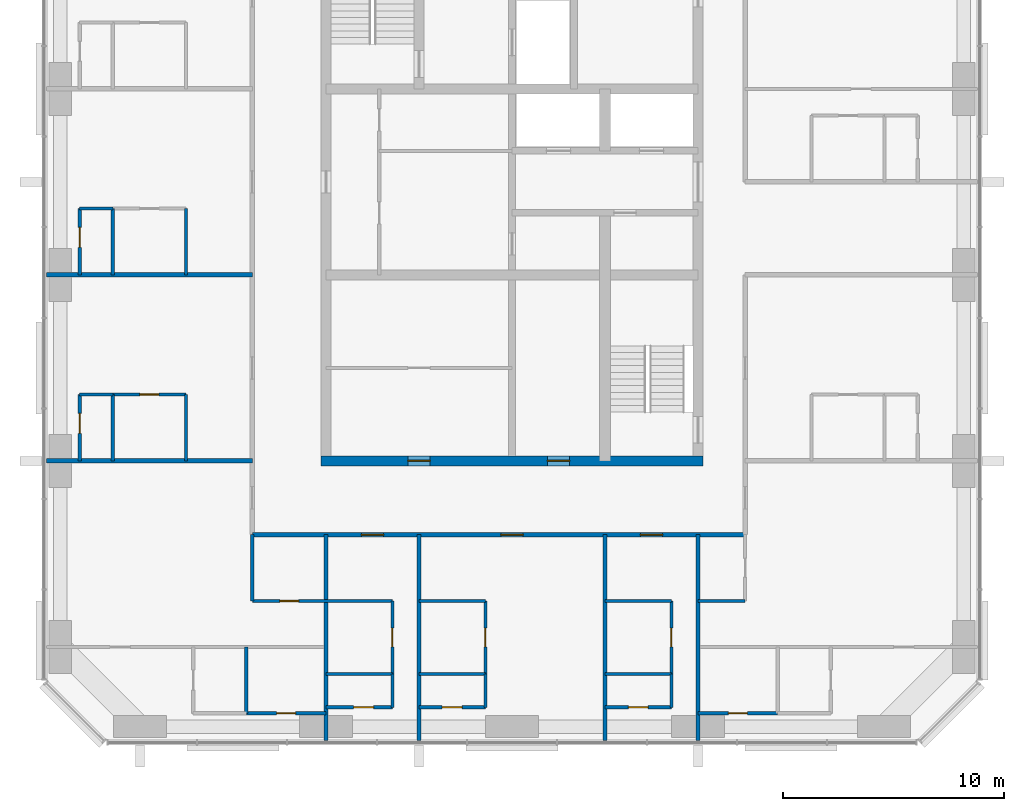
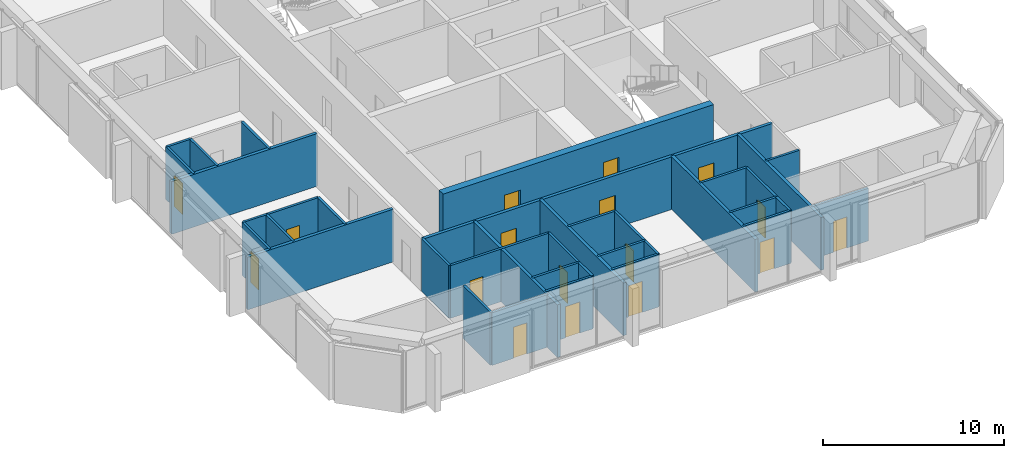
# One storey, part 7 of 12: 37 walls, 17 doors, 17 openings.
"""IFC4 building model written with IfcOpenShell, lengths in metres."""

from ifc_helpers import new_model, si_unit, direction, frame, frame_2d, origin, place, context, subcontext, project, spatial, rectangle, extrude, material, layer, layer_set, type_object, element, fill, save


model = new_model("IFC4")

# Units and contexts
model_context = context("Model", 3, precision=1e-05, world=origin(), true_north=direction((0.0, 1.0)))
body_context = subcontext(model_context, "Body", "Model", "MODEL_VIEW")
ifc_project = project(units=[si_unit("LENGTHUNIT", "METRE"), si_unit("AREAUNIT", "SQUARE_METRE"), si_unit("VOLUMEUNIT", "CUBIC_METRE"), si_unit("PLANEANGLEUNIT", "RADIAN"), si_unit("MASSUNIT", "GRAM", prefix="KILO")], contexts=[model_context])

# Site, building, storey
site_placement = place(None, origin())
site = spatial("IfcSite", under=ifc_project, at=site_placement, CompositionType="ELEMENT")
building_placement = place(site_placement, origin())
building = spatial("IfcBuilding", under=site, at=building_placement, Name="Dunama Terrace Hotel", CompositionType="ELEMENT")
storey_placement = place(building_placement, frame((0.0, 0.0, 241.199951171875)))
storey = spatial("IfcBuildingStorey", under=building, at=storey_placement, Name="L62", CompositionType="ELEMENT", Elevation=241.199951171875)

# Walls
ifc_material_1 = material(Name="Gypsum board partition", Category="masonry")
ifc_layer_1 = layer(ifc_material_1, 0.14990234375)
ifc_layer_set_1 = layer_set([ifc_layer_1], Name="Bathroom partition 150")
wall_type_1 = type_object("IfcWallType", Name="Bathroom partition 150", PredefinedType="PARTITIONING", material=ifc_layer_set_1)
for number, where, z_axis, x_axis, name in (
    (1, (18.875, 16.800048828125, 0.0), (0.0, 0.0, 1.0), (0.0, 1.0, 0.0), "Bathroom partition 150 L62"),
    (2, (18.875, 25.199951171875, 0.0), (0.0, 0.0, 1.0), (0.0, 1.0, 0.0), "Bathroom partition 150 L62"),
    (3, (21.875, 10.47509765625, 0.0), (0.0, 0.0, 1.0), (0.0, 1.0, 0.0), "Bathroom partition 150 L62"),
):
    element("IfcWall", number, at=place(storey_placement, frame(where, z_axis=z_axis, x_axis=x_axis)), inside=storey, type_object=wall_type_1, Name=name, PredefinedType="PARTITIONING", context=body_context, shape_type="SweptSolid", body=[
        extrude(rectangle(XDim=3.0, YDim=0.14990234375, at=frame_2d((1.5, 0.0))), origin(), (0.0, 0.0, 1.0), 3.550048828125),
    ])

# Wall, opening, door
wall_1_placement = place(storey_placement, frame((28.199951171875, 7.175048828125, 0.0), z_axis=(0.0, 0.0, 1.0), x_axis=(0.0, 1.0, 0.0)))
wall_1 = element("IfcWall", 4, at=wall_1_placement, inside=storey, type_object=wall_type_1, Name="Bathroom partition 150 L62", PredefinedType="PARTITIONING", context=body_context, shape_type="SweptSolid", body=[
    extrude(rectangle(XDim=3.300048828125, YDim=0.14990234375, at=frame_2d((1.64990234375, 0.0))), origin(), (0.0, 0.0, 1.0), 3.550048828125),
])
opening_1_placement = place(wall_1_placement, frame((1.22509765625, 0.0, 0.0)))
opening_1 = element("IfcOpeningElement", 5, at=opening_1_placement, cuts=wall_1, Name="Opening L62-64-008", PredefinedType="OPENING", context=body_context, shape_type="SweptSolid", body=[
    extrude(rectangle(XDim=0.85009765625, YDim=2.10009765625, at=frame_2d((0.425048828125, 1.050048828125))), frame((0.0, 0.0849609375, 0.0), z_axis=(0.0, -1.0, 0.0), x_axis=(1.0, 0.0, 0.0)), (0.0, 0.0, 1.0), 0.169921875),
])
ifc_material_2 = material(Name="Timber door with steel frame", Category="steel")
door_type_1 = type_object("IfcDoorType", Name="Bathroom door 850", OperationType="SINGLE_SWING_LEFT", PredefinedType="DOOR", material=ifc_material_2)
door_1_placement = place(opening_1_placement, origin())
door_1 = element("IfcDoor", 6, at=door_1_placement, inside=storey, type_object=door_type_1, Name="Door to en-suite bathroom L62-64-008, type D2", OperationType="SINGLE_SWING_LEFT", OverallHeight=2.10009765625, OverallWidth=0.85009765625, PredefinedType="DOOR", context=body_context, shape_type="SweptSolid", body=[
    extrude(rectangle(XDim=0.85009765625, YDim=2.10009765625, at=frame_2d((0.425048828125, 1.050048828125))), frame((0.0, 0.02490234375, 0.0), z_axis=(0.0, -1.0, 0.0), x_axis=(1.0, 0.0, 0.0)), (0.0, 0.0, 1.0), 0.050048828125),
])
fill(opening_1, door_1)

wall_2_placement = place(storey_placement, frame((32.39990234375, 7.175048828125, 0.0), z_axis=(0.0, 0.0, 1.0), x_axis=(0.0, 1.0, 0.0)))
wall_2 = element("IfcWall", 7, at=wall_2_placement, inside=storey, type_object=wall_type_1, Name="Bathroom partition 150 L62", PredefinedType="PARTITIONING", context=body_context, shape_type="SweptSolid", body=[
    extrude(rectangle(XDim=3.300048828125, YDim=0.14990234375, at=frame_2d((1.64990234375, 0.0))), origin(), (0.0, 0.0, 1.0), 3.550048828125),
])
opening_2_placement = place(wall_2_placement, frame((1.22509765625, 0.0, 0.0)))
opening_2 = element("IfcOpeningElement", 8, at=opening_2_placement, cuts=wall_2, Name="Opening L62-64-011", PredefinedType="OPENING", context=body_context, shape_type="SweptSolid", body=[
    extrude(rectangle(XDim=0.85009765625, YDim=2.10009765625, at=frame_2d((0.425048828125, 1.050048828125))), frame((0.0, 0.0849609375, 0.0), z_axis=(0.0, -1.0, 0.0), x_axis=(1.0, 0.0, 0.0)), (0.0, 0.0, 1.0), 0.169921875),
])
door_2_placement = place(opening_2_placement, origin())
door_2 = element("IfcDoor", 9, at=door_2_placement, inside=storey, type_object=door_type_1, Name="Door to en-suite bathroom L62-64-011, type D2", OperationType="SINGLE_SWING_LEFT", OverallHeight=2.10009765625, OverallWidth=0.85009765625, PredefinedType="DOOR", context=body_context, shape_type="SweptSolid", body=[
    extrude(rectangle(XDim=0.85009765625, YDim=2.10009765625, at=frame_2d((0.425048828125, 1.050048828125))), frame((0.0, 0.02490234375, 0.0), z_axis=(0.0, -1.0, 0.0), x_axis=(1.0, 0.0, 0.0)), (0.0, 0.0, 1.0), 0.050048828125),
])
fill(opening_2, door_2)

wall_3_placement = place(storey_placement, frame((40.800048828125, 7.175048828125, 0.0), z_axis=(0.0, 0.0, 1.0), x_axis=(0.0, 1.0, 0.0)))
wall_3 = element("IfcWall", 10, at=wall_3_placement, inside=storey, type_object=wall_type_1, Name="Bathroom partition 150 L62", PredefinedType="PARTITIONING", context=body_context, shape_type="SweptSolid", body=[
    extrude(rectangle(XDim=3.300048828125, YDim=0.14990234375, at=frame_2d((1.64990234375, 0.0))), origin(), (0.0, 0.0, 1.0), 3.550048828125),
])
opening_3_placement = place(wall_3_placement, frame((1.22509765625, 0.0, 0.0)))
opening_3 = element("IfcOpeningElement", 11, at=opening_3_placement, cuts=wall_3, Name="Opening L62-64-014", PredefinedType="OPENING", context=body_context, shape_type="SweptSolid", body=[
    extrude(rectangle(XDim=0.85009765625, YDim=2.10009765625, at=frame_2d((0.425048828125, 1.050048828125))), frame((0.0, 0.0849609375, 0.0), z_axis=(0.0, -1.0, 0.0), x_axis=(1.0, 0.0, 0.0)), (0.0, 0.0, 1.0), 0.169921875),
])
door_3_placement = place(opening_3_placement, origin())
door_3 = element("IfcDoor", 12, at=door_3_placement, inside=storey, type_object=door_type_1, Name="Door to en-suite bathroom L62-64-014, type D2", OperationType="SINGLE_SWING_LEFT", OverallHeight=2.10009765625, OverallWidth=0.85009765625, PredefinedType="DOOR", context=body_context, shape_type="SweptSolid", body=[
    extrude(rectangle(XDim=0.85009765625, YDim=2.10009765625, at=frame_2d((0.425048828125, 1.050048828125))), frame((0.0, 0.02490234375, 0.0), z_axis=(0.0, -1.0, 0.0), x_axis=(1.0, 0.0, 0.0)), (0.0, 0.0, 1.0), 0.050048828125),
])
fill(opening_3, door_3)

wall_4_placement = place(storey_placement, frame((21.60009765625, 5.39990234375, 0.0), z_axis=(0.0, 0.0, 1.0), x_axis=(1.0, 0.0, 0.0)))
wall_4 = element("IfcWall", 13, at=wall_4_placement, inside=storey, type_object=wall_type_1, Name="Bathroom partition 150 L62", PredefinedType="PARTITIONING", context=body_context, shape_type="SweptSolid", body=[
    extrude(rectangle(XDim=3.599853515625, YDim=0.14990234375, at=frame_2d((1.7998046875, 0.0))), origin(), (0.0, 0.0, 1.0), 3.550048828125),
])
opening_4_placement = place(wall_4_placement, frame((1.375, 0.0, 0.0)))
opening_4 = element("IfcOpeningElement", 14, at=opening_4_placement, cuts=wall_4, Name="Opening L62-64-044", PredefinedType="OPENING", context=body_context, shape_type="SweptSolid", body=[
    extrude(rectangle(XDim=0.85009765625, YDim=2.10009765625, at=frame_2d((0.425048828125, 1.050048828125))), frame((0.0, 0.0849609375, 0.0), z_axis=(0.0, -1.0, 0.0), x_axis=(1.0, 0.0, 0.0)), (0.0, 0.0, 1.0), 0.169921875),
])
door_4_placement = place(opening_4_placement, origin())
door_4 = element("IfcDoor", 15, at=door_4_placement, inside=storey, type_object=door_type_1, Name="Door to en-suite bathroom L62-64-044, type D2", OperationType="SINGLE_SWING_RIGHT", OverallHeight=2.10009765625, OverallWidth=0.85009765625, PredefinedType="DOOR", context=body_context, shape_type="SweptSolid", body=[
    extrude(rectangle(XDim=0.85009765625, YDim=2.10009765625, at=frame_2d((0.425048828125, 1.050048828125))), frame((0.0, 0.02490234375, 0.0), z_axis=(0.0, -1.0, 0.0), x_axis=(1.0, 0.0, 0.0)), (0.0, 0.0, 1.0), 0.050048828125),
])
fill(opening_4, door_4)

wall_5_placement = place(storey_placement, frame((42.0, 5.39990234375, 0.0), z_axis=(0.0, 0.0, 1.0), x_axis=(1.0, 0.0, 0.0)))
wall_5 = element("IfcWall", 16, at=wall_5_placement, inside=storey, type_object=wall_type_1, Name="Bathroom partition 150 L62", PredefinedType="PARTITIONING", context=body_context, shape_type="SweptSolid", body=[
    extrude(rectangle(XDim=3.60009765625, YDim=0.14990234375, at=frame_2d((1.800048828125, 0.0))), origin(), (0.0, 0.0, 1.0), 3.550048828125),
])
opening_5_placement = place(wall_5_placement, frame((1.375, 0.0, 0.0)))
opening_5 = element("IfcOpeningElement", 17, at=opening_5_placement, cuts=wall_5, Name="Opening L62-64-049", PredefinedType="OPENING", context=body_context, shape_type="SweptSolid", body=[
    extrude(rectangle(XDim=0.85009765625, YDim=2.10009765625, at=frame_2d((0.425048828125, 1.050048828125))), frame((0.0, 0.0849609375, 0.0), z_axis=(0.0, -1.0, 0.0), x_axis=(1.0, 0.0, 0.0)), (0.0, 0.0, 1.0), 0.169921875),
])
door_5_placement = place(opening_5_placement, origin())
door_5 = element("IfcDoor", 18, at=door_5_placement, inside=storey, type_object=door_type_1, Name="Door to en-suite bathroom L62-64-049, type D2", OperationType="SINGLE_SWING_LEFT", OverallHeight=2.10009765625, OverallWidth=0.85009765625, PredefinedType="DOOR", context=body_context, shape_type="SweptSolid", body=[
    extrude(rectangle(XDim=0.85009765625, YDim=2.10009765625, at=frame_2d((0.425048828125, 1.050048828125))), frame((0.0, 0.02490234375, 0.0), z_axis=(0.0, -1.0, 0.0), x_axis=(1.0, 0.0, 0.0)), (0.0, 0.0, 1.0), 0.050048828125),
])
fill(opening_5, door_5)

wall_6_placement = place(storey_placement, frame((21.875, 10.47509765625, 0.0), z_axis=(0.0, 0.0, 1.0), x_axis=(1.0, 0.0, 0.0)))
wall_6 = element("IfcWall", 19, at=wall_6_placement, inside=storey, type_object=wall_type_1, Name="Bathroom partition 150 L62", PredefinedType="PARTITIONING", context=body_context, shape_type="SweptSolid", body=[
    extrude(rectangle(XDim=6.324951171875, YDim=0.14990234375, at=frame_2d((3.16259765625, 0.0))), origin(), (0.0, 0.0, 1.0), 3.550048828125),
])
opening_6_placement = place(wall_6_placement, frame((1.238037109375, 0.0, 0.0)))
opening_6 = element("IfcOpeningElement", 20, at=opening_6_placement, cuts=wall_6, Name="Opening L62-64-042", PredefinedType="OPENING", context=body_context, shape_type="SweptSolid", body=[
    extrude(rectangle(XDim=0.85009765625, YDim=2.10009765625, at=frame_2d((0.425048828125, 1.050048828125))), frame((0.0, 0.0849609375, 0.0), z_axis=(0.0, -1.0, 0.0), x_axis=(1.0, 0.0, 0.0)), (0.0, 0.0, 1.0), 0.169921875),
])
door_6_placement = place(opening_6_placement, origin())
door_6 = element("IfcDoor", 21, at=door_6_placement, inside=storey, type_object=door_type_1, Name="Door to powder room L62-64-042, type D2", OperationType="SINGLE_SWING_RIGHT", OverallHeight=2.10009765625, OverallWidth=0.85009765625, PredefinedType="DOOR", context=body_context, shape_type="SweptSolid", body=[
    extrude(rectangle(XDim=0.85009765625, YDim=2.10009765625, at=frame_2d((0.425048828125, 1.050048828125))), frame((0.0, 0.02490234375, 0.0), z_axis=(0.0, -1.0, 0.0), x_axis=(1.0, 0.0, 0.0)), (0.0, 0.0, 1.0), 0.050048828125),
])
fill(opening_6, door_6)

# Walls
for number, where, z_axis, x_axis, name in (
    (22, (29.39990234375, 10.47509765625, 0.0), (0.0, 0.0, 1.0), (1.0, 0.0, 0.0), "Bathroom partition 150 L62"),
    (23, (37.800048828125, 10.47509765625, 0.0), (0.0, 0.0, 1.0), (1.0, 0.0, 0.0), "Bathroom partition 150 L62"),
):
    element("IfcWall", number, at=place(storey_placement, frame(where, z_axis=z_axis, x_axis=x_axis)), inside=storey, type_object=wall_type_1, Name=name, PredefinedType="PARTITIONING", context=body_context, shape_type="SweptSolid", body=[
        extrude(rectangle(XDim=3.0, YDim=0.14990234375, at=frame_2d((1.5, 0.0))), origin(), (0.0, 0.0, 1.0), 3.550048828125),
    ])
wall_7_placement = place(storey_placement, frame((42.0, 10.47509765625, 0.0), z_axis=(0.0, 0.0, 1.0), x_axis=(1.0, 0.0, 0.0)))
element("IfcWall", 24, at=wall_7_placement, inside=storey, type_object=wall_type_1, Name="Bathroom partition 150 L62", PredefinedType="PARTITIONING", context=body_context, shape_type="SweptSolid", body=[
    extrude(rectangle(XDim=2.125, YDim=0.14990234375, at=frame_2d((1.0625, 0.0))), origin(), (0.0, 0.0, 1.0), 3.550048828125),
])

# Wall, opening, door
wall_8_placement = place(storey_placement, frame((15.574951171875, 19.800048828125, 0.0), z_axis=(0.0, 0.0, 1.0), x_axis=(1.0, 0.0, 0.0)))
wall_8 = element("IfcWall", 25, at=wall_8_placement, inside=storey, type_object=wall_type_1, Name="Bathroom partition 150 L62", PredefinedType="PARTITIONING", context=body_context, shape_type="SweptSolid", body=[
    extrude(rectangle(XDim=3.300048828125, YDim=0.14990234375, at=frame_2d((1.64990234375, 0.0))), origin(), (0.0, 0.0, 1.0), 3.550048828125),
])
opening_7_placement = place(wall_8_placement, frame((1.22509765625, 0.0, 0.0)))
opening_7 = element("IfcOpeningElement", 26, at=opening_7_placement, cuts=wall_8, Name="Opening L62-64-033", PredefinedType="OPENING", context=body_context, shape_type="SweptSolid", body=[
    extrude(rectangle(XDim=0.85009765625, YDim=2.10009765625, at=frame_2d((0.425048828125, 1.050048828125))), frame((0.0, 0.0849609375, 0.0), z_axis=(0.0, -1.0, 0.0), x_axis=(1.0, 0.0, 0.0)), (0.0, 0.0, 1.0), 0.169921875),
])
door_7_placement = place(opening_7_placement, frame((0.85009765625, 0.0, 0.0), z_axis=(0.0, 0.0, 1.0), x_axis=(-1.0, 0.0, 0.0)))
door_7 = element("IfcDoor", 27, at=door_7_placement, inside=storey, type_object=door_type_1, Name="Door to en-suite bathroom L62-64-033, type D2", OperationType="SINGLE_SWING_LEFT", OverallHeight=2.10009765625, OverallWidth=0.85009765625, PredefinedType="DOOR", context=body_context, shape_type="SweptSolid", body=[
    extrude(rectangle(XDim=0.85009765625, YDim=2.10009765625, at=frame_2d((0.425048828125, 1.050048828125))), frame((0.0, 0.025146484375, 0.0), z_axis=(0.0, -1.0, 0.0), x_axis=(1.0, 0.0, 0.0)), (0.0, 0.0, 1.0), 0.050048828125),
])
fill(opening_7, door_7)

# Wall, openings, doors
ifc_material_3 = material(Name="Concrete C50/60", Category="concrete")
ifc_layer_2 = layer(ifc_material_3, 0.449951171875)
ifc_layer_set_2 = layer_set([ifc_layer_2], Name="Core wall 450")
wall_type_2 = type_object("IfcWallType", Name="Core wall 450", PredefinedType="SHEAR", material=ifc_layer_set_2)
wall_9_placement = place(storey_placement, frame((24.97509765625, 16.800048828125, -0.349853515625), z_axis=(0.0, 0.0, 1.0), x_axis=(1.0, 0.0, 0.0)))
wall_9 = element("IfcWall", 28, at=wall_9_placement, inside=storey, type_object=wall_type_2, Name="Core wall south L62", PredefinedType="SHEAR", context=body_context, shape_type="SweptSolid", body=[
    extrude(rectangle(XDim=17.25, YDim=0.449951171875, at=frame_2d((8.625, 0.0))), origin(), (0.0, 0.0, 1.0), 3.89990234375),
])
opening_8_placement = place(wall_9_placement, frame((3.925048828125, 0.0, 0.35009765625)))
opening_8 = element("IfcOpeningElement", 29, at=opening_8_placement, cuts=wall_9, Name="Opening L62-64-069", PredefinedType="OPENING", context=body_context, shape_type="SweptSolid", body=[
    extrude(rectangle(XDim=1.0, YDim=2.10009765625, at=frame_2d((0.5, 1.050048828125))), frame((0.0, 0.23486328125, 0.0), z_axis=(0.0, -1.0, 0.0), x_axis=(1.0, 0.0, 0.0)), (0.0, 0.0, 1.0), 0.469970703125),
])
opening_9_placement = place(wall_9_placement, frame((10.22509765625, 0.0, 0.35009765625)))
opening_9 = element("IfcOpeningElement", 30, at=opening_9_placement, cuts=wall_9, Name="Opening L62-64-071", PredefinedType="OPENING", context=body_context, shape_type="SweptSolid", body=[
    extrude(rectangle(XDim=1.0, YDim=2.10009765625, at=frame_2d((0.5, 1.050048828125))), frame((0.0, 0.23486328125, 0.0), z_axis=(0.0, -1.0, 0.0), x_axis=(1.0, 0.0, 0.0)), (0.0, 0.0, 1.0), 0.469970703125),
])
ifc_material_4 = material(Name="Timber door with steel frame", Category="steel")
door_type_2 = type_object("IfcDoorType", Name="Service door 1000", OperationType="SINGLE_SWING_LEFT", PredefinedType="DOOR", material=ifc_material_4)
door_8_placement = place(opening_8_placement, origin())
door_8 = element("IfcDoor", 31, at=door_8_placement, inside=storey, type_object=door_type_2, Name="Door to corridor air handling room L62-64-069, type D7", OperationType="SINGLE_SWING_LEFT", OverallHeight=2.10009765625, OverallWidth=1.0, PredefinedType="DOOR", context=body_context, shape_type="SweptSolid", body=[
    extrude(rectangle(XDim=1.0, YDim=2.10009765625, at=frame_2d((0.5, 1.050048828125))), frame((0.0, 0.02490234375, 0.0), z_axis=(0.0, -1.0, 0.0), x_axis=(1.0, 0.0, 0.0)), (0.0, 0.0, 1.0), 0.050048828125),
])
fill(opening_8, door_8)
door_9_placement = place(opening_9_placement, origin())
door_9 = element("IfcDoor", 32, at=door_9_placement, inside=storey, type_object=door_type_2, Name="Door to water riser room L62-64-071, type D7", OperationType="SINGLE_SWING_RIGHT", OverallHeight=2.10009765625, OverallWidth=1.0, PredefinedType="DOOR", context=body_context, shape_type="SweptSolid", body=[
    extrude(rectangle(XDim=1.0, YDim=2.10009765625, at=frame_2d((0.5, 1.050048828125))), frame((0.0, 0.02490234375, 0.0), z_axis=(0.0, -1.0, 0.0), x_axis=(1.0, 0.0, 0.0)), (0.0, 0.0, 1.0), 0.050048828125),
])
fill(opening_9, door_9)

ifc_material_5 = material(Name="Concrete blockwork", Category="masonry")
ifc_layer_3 = layer(ifc_material_5, 0.199951171875)
ifc_layer_set_3 = layer_set([ifc_layer_3], Name="Corridor partition 200")
wall_type_3 = type_object("IfcWallType", Name="Corridor partition 200", PredefinedType="PARTITIONING", material=ifc_layer_set_3)
wall_10_placement = place(storey_placement, frame((44.125, 13.47509765625, 0.0), z_axis=(0.0, 0.0, 1.0), x_axis=(-1.0, 0.0, 0.0)))
wall_10 = element("IfcWall", 33, at=wall_10_placement, inside=storey, type_object=wall_type_3, Name="Corridor partition 200 L62", PredefinedType="PARTITIONING", context=body_context, shape_type="SweptSolid", body=[
    extrude(rectangle(XDim=22.25, YDim=0.199951171875, at=frame_2d((11.125, 0.0))), origin(), (0.0, 0.0, 1.0), 3.550048828125),
])
opening_10_placement = place(wall_10_placement, frame((16.324951171875, 0.0, 0.0)))
opening_10 = element("IfcOpeningElement", 34, at=opening_10_placement, cuts=wall_10, Name="Opening L62-64-007", PredefinedType="OPENING", context=body_context, shape_type="SweptSolid", body=[
    extrude(rectangle(XDim=1.0, YDim=2.199951171875, at=frame_2d((0.5, 1.10009765625))), frame((0.0, 0.10986328125, 0.0), z_axis=(0.0, -1.0, 0.0), x_axis=(1.0, 0.0, 0.0)), (0.0, 0.0, 1.0), 0.219970703125),
])
opening_11_placement = place(wall_10_placement, frame((10.02490234375, 0.0, 0.0)))
opening_11 = element("IfcOpeningElement", 35, at=opening_11_placement, cuts=wall_10, Name="Opening L62-64-010", PredefinedType="OPENING", context=body_context, shape_type="SweptSolid", body=[
    extrude(rectangle(XDim=1.0, YDim=2.199951171875, at=frame_2d((0.5, 1.10009765625))), frame((0.0, 0.10986328125, 0.0), z_axis=(0.0, -1.0, 0.0), x_axis=(1.0, 0.0, 0.0)), (0.0, 0.0, 1.0), 0.219970703125),
])
opening_12_placement = place(wall_10_placement, frame((3.72509765625, 0.0, 0.0)))
opening_12 = element("IfcOpeningElement", 36, at=opening_12_placement, cuts=wall_10, Name="Opening L62-64-013", PredefinedType="OPENING", context=body_context, shape_type="SweptSolid", body=[
    extrude(rectangle(XDim=1.0, YDim=2.199951171875, at=frame_2d((0.5, 1.10009765625))), frame((0.0, 0.10986328125, 0.0), z_axis=(0.0, -1.0, 0.0), x_axis=(1.0, 0.0, 0.0)), (0.0, 0.0, 1.0), 0.219970703125),
])
ifc_material_6 = material(Name="Timber door with steel frame", Category="steel")
door_type_3 = type_object("IfcDoorType", Name="Guest room door 1000", OperationType="SINGLE_SWING_LEFT", PredefinedType="DOOR", material=ifc_material_6)
door_10_placement = place(opening_10_placement, origin())
door_10 = element("IfcDoor", 37, at=door_10_placement, inside=storey, type_object=door_type_3, Name="Door to studio suite L62-64-007, type D1", OperationType="SINGLE_SWING_LEFT", OverallHeight=2.199951171875, OverallWidth=1.0, PredefinedType="DOOR", context=body_context, shape_type="SweptSolid", body=[
    extrude(rectangle(XDim=1.0, YDim=2.199951171875, at=frame_2d((0.5, 1.10009765625))), frame((0.0, 0.02490234375, 0.0), z_axis=(0.0, -1.0, 0.0), x_axis=(1.0, 0.0, 0.0)), (0.0, 0.0, 1.0), 0.050048828125),
])
fill(opening_10, door_10)
door_11_placement = place(opening_11_placement, origin())
door_11 = element("IfcDoor", 38, at=door_11_placement, inside=storey, type_object=door_type_3, Name="Door to junior suite L62-64-010, type D1", OperationType="SINGLE_SWING_RIGHT", OverallHeight=2.199951171875, OverallWidth=1.0, PredefinedType="DOOR", context=body_context, shape_type="SweptSolid", body=[
    extrude(rectangle(XDim=1.0, YDim=2.199951171875, at=frame_2d((0.5, 1.10009765625))), frame((0.0, 0.02490234375, 0.0), z_axis=(0.0, -1.0, 0.0), x_axis=(1.0, 0.0, 0.0)), (0.0, 0.0, 1.0), 0.050048828125),
])
fill(opening_11, door_11)
door_12_placement = place(opening_12_placement, origin())
door_12 = element("IfcDoor", 39, at=door_12_placement, inside=storey, type_object=door_type_3, Name="Door to studio suite L62-64-013, type D1", OperationType="SINGLE_SWING_LEFT", OverallHeight=2.199951171875, OverallWidth=1.0, PredefinedType="DOOR", context=body_context, shape_type="SweptSolid", body=[
    extrude(rectangle(XDim=1.0, YDim=2.199951171875, at=frame_2d((0.5, 1.10009765625))), frame((0.0, 0.02490234375, 0.0), z_axis=(0.0, -1.0, 0.0), x_axis=(1.0, 0.0, 0.0)), (0.0, 0.0, 1.0), 0.050048828125),
])
fill(opening_12, door_12)

# Walls
ifc_material_7 = material(Name="Concrete blockwork", Category="masonry")
ifc_layer_4 = layer(ifc_material_7, 0.199951171875)
ifc_layer_set_4 = layer_set([ifc_layer_4], Name="Party wall 200")
wall_type_4 = type_object("IfcWallType", Name="Party wall 200", PredefinedType="PARTITIONING", material=ifc_layer_set_4)
for number, where, z_axis, x_axis, name in (
    (40, (25.199951171875, 4.181884765625, 0.0), (0.0, 0.0, 1.0), (0.0, 1.0, 0.0), "Party wall 200 L62"),
    (41, (29.39990234375, 4.181884765625, 0.0), (0.0, 0.0, 1.0), (0.0, 1.0, 0.0), "Party wall 200 L62"),
    (42, (37.800048828125, 4.181884765625, 0.0), (0.0, 0.0, 1.0), (0.0, 1.0, 0.0), "Party wall 200 L62"),
    (43, (42.0, 4.181884765625, 0.0), (0.0, 0.0, 1.0), (0.0, 1.0, 0.0), "Party wall 200 L62"),
):
    element("IfcWall", number, at=place(storey_placement, frame(where, z_axis=z_axis, x_axis=x_axis)), inside=storey, type_object=wall_type_4, Name=name, PredefinedType="PARTITIONING", context=body_context, shape_type="SweptSolid", body=[
        extrude(rectangle(XDim=9.293212890625, YDim=0.199951171875, at=frame_2d((4.646484375, 0.0))), origin(), (0.0, 0.0, 1.0), 3.550048828125),
    ])
for number, where, z_axis, x_axis, name in (
    (44, (12.58203125, 16.800048828125, 0.0), (0.0, 0.0, 1.0), (1.0, 0.0, 0.0), "Party wall 200 L62"),
    (45, (12.58203125, 25.199951171875, 0.0), (0.0, 0.0, 1.0), (1.0, 0.0, 0.0), "Party wall 200 L62"),
):
    element("IfcWall", number, at=place(storey_placement, frame(where, z_axis=z_axis, x_axis=x_axis)), inside=storey, type_object=wall_type_4, Name=name, PredefinedType="PARTITIONING", context=body_context, shape_type="SweptSolid", body=[
        extrude(rectangle(XDim=9.29296875, YDim=0.199951171875, at=frame_2d((4.646484375, 0.0))), origin(), (0.0, 0.0, 1.0), 3.550048828125),
    ])

# Wall, opening, door
ifc_material_8 = material(Name="Gypsum board partition", Category="masonry")
ifc_layer_5 = layer(ifc_material_8, 0.14990234375)
ifc_layer_set_5 = layer_set([ifc_layer_5], Name="Room partition 150")
wall_type_5 = type_object("IfcWallType", Name="Room partition 150", PredefinedType="PARTITIONING", material=ifc_layer_set_5)
wall_11_placement = place(storey_placement, frame((14.074951171875, 16.800048828125, 0.0), z_axis=(0.0, 0.0, 1.0), x_axis=(0.0, 1.0, 0.0)))
wall_11 = element("IfcWall", 46, at=wall_11_placement, inside=storey, type_object=wall_type_5, Name="Room partition 150 L62", PredefinedType="PARTITIONING", context=body_context, shape_type="SweptSolid", body=[
    extrude(rectangle(XDim=3.0, YDim=0.14990234375, at=frame_2d((1.5, 0.0))), origin(), (0.0, 0.0, 1.0), 3.550048828125),
])
opening_13_placement = place(wall_11_placement, frame((1.25, 0.0, 0.0)))
opening_13 = element("IfcOpeningElement", 47, at=opening_13_placement, cuts=wall_11, Name="Opening L62-64-034", PredefinedType="OPENING", context=body_context, shape_type="SweptSolid", body=[
    extrude(rectangle(XDim=0.89990234375, YDim=2.10009765625, at=frame_2d((0.449951171875, 1.050048828125))), frame((0.0, 0.0849609375, 0.0), z_axis=(0.0, -1.0, 0.0), x_axis=(1.0, 0.0, 0.0)), (0.0, 0.0, 1.0), 0.169921875),
])
ifc_material_9 = material(Name="Timber door with steel frame", Category="steel")
door_type_4 = type_object("IfcDoorType", Name="Suite internal door 900", OperationType="SINGLE_SWING_LEFT", PredefinedType="DOOR", material=ifc_material_9)
door_13_placement = place(opening_13_placement, frame((0.89990234375, 0.0, 0.0), z_axis=(0.0, 0.0, 1.0), x_axis=(-1.0, 0.0, 0.0)))
door_13 = element("IfcDoor", 48, at=door_13_placement, inside=storey, type_object=door_type_4, Name="Door to walk-in wardrobe L62-64-034, type D16", OperationType="SINGLE_SWING_RIGHT", OverallHeight=2.10009765625, OverallWidth=0.89990234375, PredefinedType="DOOR", context=body_context, shape_type="SweptSolid", body=[
    extrude(rectangle(XDim=0.89990234375, YDim=2.10009765625, at=frame_2d((0.449951171875, 1.050048828125))), frame((0.0, 0.025146484375, 0.0), z_axis=(0.0, -1.0, 0.0), x_axis=(1.0, 0.0, 0.0)), (0.0, 0.0, 1.0), 0.050048828125),
])
fill(opening_13, door_13)

wall_12_placement = place(storey_placement, frame((14.074951171875, 25.199951171875, 0.0), z_axis=(0.0, 0.0, 1.0), x_axis=(0.0, 1.0, 0.0)))
wall_12 = element("IfcWall", 49, at=wall_12_placement, inside=storey, type_object=wall_type_5, Name="Room partition 150 L62", PredefinedType="PARTITIONING", context=body_context, shape_type="SweptSolid", body=[
    extrude(rectangle(XDim=3.0, YDim=0.14990234375, at=frame_2d((1.5, 0.0))), origin(), (0.0, 0.0, 1.0), 3.550048828125),
])
opening_14_placement = place(wall_12_placement, frame((1.25, 0.0, 0.0)))
opening_14 = element("IfcOpeningElement", 50, at=opening_14_placement, cuts=wall_12, Name="Opening L62-64-037", PredefinedType="OPENING", context=body_context, shape_type="SweptSolid", body=[
    extrude(rectangle(XDim=0.89990234375, YDim=2.10009765625, at=frame_2d((0.449951171875, 1.050048828125))), frame((0.0, 0.0849609375, 0.0), z_axis=(0.0, -1.0, 0.0), x_axis=(1.0, 0.0, 0.0)), (0.0, 0.0, 1.0), 0.169921875),
])
door_14_placement = place(opening_14_placement, frame((0.89990234375, 0.0, 0.0), z_axis=(0.0, 0.0, 1.0), x_axis=(-1.0, 0.0, 0.0)))
door_14 = element("IfcDoor", 51, at=door_14_placement, inside=storey, type_object=door_type_4, Name="Door to walk-in wardrobe L62-64-037, type D16", OperationType="SINGLE_SWING_RIGHT", OverallHeight=2.10009765625, OverallWidth=0.89990234375, PredefinedType="DOOR", context=body_context, shape_type="SweptSolid", body=[
    extrude(rectangle(XDim=0.89990234375, YDim=2.10009765625, at=frame_2d((0.449951171875, 1.050048828125))), frame((0.0, 0.025146484375, 0.0), z_axis=(0.0, -1.0, 0.0), x_axis=(1.0, 0.0, 0.0)), (0.0, 0.0, 1.0), 0.050048828125),
])
fill(opening_14, door_14)

# Walls
for number, where, z_axis, x_axis, name in (
    (52, (15.574951171875, 16.800048828125, 0.0), (0.0, 0.0, 1.0), (0.0, 1.0, 0.0), "Room partition 150 L62"),
    (53, (15.574951171875, 25.199951171875, 0.0), (0.0, 0.0, 1.0), (0.0, 1.0, 0.0), "Room partition 150 L62"),
    (54, (21.60009765625, 5.39990234375, 0.0), (0.0, 0.0, 1.0), (0.0, 1.0, 0.0), "Room partition 150 L62"),
):
    element("IfcWall", number, at=place(storey_placement, frame(where, z_axis=z_axis, x_axis=x_axis)), inside=storey, type_object=wall_type_5, Name=name, PredefinedType="PARTITIONING", context=body_context, shape_type="SweptSolid", body=[
        extrude(rectangle(XDim=3.0, YDim=0.14990234375, at=frame_2d((1.5, 0.0))), origin(), (0.0, 0.0, 1.0), 3.550048828125),
    ])
for number, where, z_axis, x_axis, name in (
    (55, (28.199951171875, 5.675048828125, 0.0), (0.0, 0.0, 1.0), (0.0, 1.0, 0.0), "Room partition 150 L62"),
    (56, (32.39990234375, 5.675048828125, 0.0), (0.0, 0.0, 1.0), (0.0, 1.0, 0.0), "Room partition 150 L62"),
    (57, (40.800048828125, 5.675048828125, 0.0), (0.0, 0.0, 1.0), (0.0, 1.0, 0.0), "Room partition 150 L62"),
):
    element("IfcWall", number, at=place(storey_placement, frame(where, z_axis=z_axis, x_axis=x_axis)), inside=storey, type_object=wall_type_5, Name=name, PredefinedType="PARTITIONING", context=body_context, shape_type="SweptSolid", body=[
        extrude(rectangle(XDim=1.5, YDim=0.14990234375, at=frame_2d((0.75, 0.0))), origin(), (0.0, 0.0, 1.0), 3.550048828125),
    ])

# Wall, opening, door
wall_13_placement = place(storey_placement, frame((25.199951171875, 5.675048828125, 0.0), z_axis=(0.0, 0.0, 1.0), x_axis=(1.0, 0.0, 0.0)))
wall_13 = element("IfcWall", 58, at=wall_13_placement, inside=storey, type_object=wall_type_5, Name="Room partition 150 L62", PredefinedType="PARTITIONING", context=body_context, shape_type="SweptSolid", body=[
    extrude(rectangle(XDim=3.0, YDim=0.14990234375, at=frame_2d((1.5, 0.0))), origin(), (0.0, 0.0, 1.0), 3.550048828125),
])
opening_15_placement = place(wall_13_placement, frame((1.25, 0.0, 0.0)))
opening_15 = element("IfcOpeningElement", 59, at=opening_15_placement, cuts=wall_13, Name="Opening L62-64-009", PredefinedType="OPENING", context=body_context, shape_type="SweptSolid", body=[
    extrude(rectangle(XDim=0.89990234375, YDim=2.10009765625, at=frame_2d((0.449951171875, 1.050048828125))), frame((0.0, 0.0849609375, 0.0), z_axis=(0.0, -1.0, 0.0), x_axis=(1.0, 0.0, 0.0)), (0.0, 0.0, 1.0), 0.169921875),
])
door_15_placement = place(opening_15_placement, origin())
door_15 = element("IfcDoor", 60, at=door_15_placement, inside=storey, type_object=door_type_4, Name="Door to walk-in wardrobe L62-64-009, type D16", OperationType="SINGLE_SWING_LEFT", OverallHeight=2.10009765625, OverallWidth=0.89990234375, PredefinedType="DOOR", context=body_context, shape_type="SweptSolid", body=[
    extrude(rectangle(XDim=0.89990234375, YDim=2.10009765625, at=frame_2d((0.449951171875, 1.050048828125))), frame((0.0, 0.02490234375, 0.0), z_axis=(0.0, -1.0, 0.0), x_axis=(1.0, 0.0, 0.0)), (0.0, 0.0, 1.0), 0.050048828125),
])
fill(opening_15, door_15)

wall_14_placement = place(storey_placement, frame((29.39990234375, 5.675048828125, 0.0), z_axis=(0.0, 0.0, 1.0), x_axis=(1.0, 0.0, 0.0)))
wall_14 = element("IfcWall", 61, at=wall_14_placement, inside=storey, type_object=wall_type_5, Name="Room partition 150 L62", PredefinedType="PARTITIONING", context=body_context, shape_type="SweptSolid", body=[
    extrude(rectangle(XDim=3.0, YDim=0.14990234375, at=frame_2d((1.5, 0.0))), origin(), (0.0, 0.0, 1.0), 3.550048828125),
])
opening_16_placement = place(wall_14_placement, frame((1.050048828125, 0.0, 0.0)))
opening_16 = element("IfcOpeningElement", 62, at=opening_16_placement, cuts=wall_14, Name="Opening L62-64-012", PredefinedType="OPENING", context=body_context, shape_type="SweptSolid", body=[
    extrude(rectangle(XDim=0.89990234375, YDim=2.10009765625, at=frame_2d((0.449951171875, 1.050048828125))), frame((0.0, 0.0849609375, 0.0), z_axis=(0.0, -1.0, 0.0), x_axis=(1.0, 0.0, 0.0)), (0.0, 0.0, 1.0), 0.169921875),
])
door_16_placement = place(opening_16_placement, origin())
door_16 = element("IfcDoor", 63, at=door_16_placement, inside=storey, type_object=door_type_4, Name="Door to walk-in wardrobe L62-64-012, type D16", OperationType="SINGLE_SWING_LEFT", OverallHeight=2.10009765625, OverallWidth=0.89990234375, PredefinedType="DOOR", context=body_context, shape_type="SweptSolid", body=[
    extrude(rectangle(XDim=0.89990234375, YDim=2.10009765625, at=frame_2d((0.449951171875, 1.050048828125))), frame((0.0, 0.02490234375, 0.0), z_axis=(0.0, -1.0, 0.0), x_axis=(1.0, 0.0, 0.0)), (0.0, 0.0, 1.0), 0.050048828125),
])
fill(opening_16, door_16)

wall_15_placement = place(storey_placement, frame((37.800048828125, 5.675048828125, 0.0), z_axis=(0.0, 0.0, 1.0), x_axis=(1.0, 0.0, 0.0)))
wall_15 = element("IfcWall", 64, at=wall_15_placement, inside=storey, type_object=wall_type_5, Name="Room partition 150 L62", PredefinedType="PARTITIONING", context=body_context, shape_type="SweptSolid", body=[
    extrude(rectangle(XDim=3.0, YDim=0.14990234375, at=frame_2d((1.5, 0.0))), origin(), (0.0, 0.0, 1.0), 3.550048828125),
])
opening_17_placement = place(wall_15_placement, frame((1.050048828125, 0.0, 0.0)))
opening_17 = element("IfcOpeningElement", 65, at=opening_17_placement, cuts=wall_15, Name="Opening L62-64-015", PredefinedType="OPENING", context=body_context, shape_type="SweptSolid", body=[
    extrude(rectangle(XDim=0.89990234375, YDim=2.10009765625, at=frame_2d((0.449951171875, 1.050048828125))), frame((0.0, 0.0849609375, 0.0), z_axis=(0.0, -1.0, 0.0), x_axis=(1.0, 0.0, 0.0)), (0.0, 0.0, 1.0), 0.169921875),
])
door_17_placement = place(opening_17_placement, origin())
door_17 = element("IfcDoor", 66, at=door_17_placement, inside=storey, type_object=door_type_4, Name="Door to walk-in wardrobe L62-64-015, type D16", OperationType="SINGLE_SWING_LEFT", OverallHeight=2.10009765625, OverallWidth=0.89990234375, PredefinedType="DOOR", context=body_context, shape_type="SweptSolid", body=[
    extrude(rectangle(XDim=0.89990234375, YDim=2.10009765625, at=frame_2d((0.449951171875, 1.050048828125))), frame((0.0, 0.02490234375, 0.0), z_axis=(0.0, -1.0, 0.0), x_axis=(1.0, 0.0, 0.0)), (0.0, 0.0, 1.0), 0.050048828125),
])
fill(opening_17, door_17)

# Walls
for number, where, z_axis, x_axis, name in (
    (67, (25.199951171875, 7.175048828125, 0.0), (0.0, 0.0, 1.0), (1.0, 0.0, 0.0), "Room partition 150 L62"),
    (68, (29.39990234375, 7.175048828125, 0.0), (0.0, 0.0, 1.0), (1.0, 0.0, 0.0), "Room partition 150 L62"),
    (69, (37.800048828125, 7.175048828125, 0.0), (0.0, 0.0, 1.0), (1.0, 0.0, 0.0), "Room partition 150 L62"),
):
    element("IfcWall", number, at=place(storey_placement, frame(where, z_axis=z_axis, x_axis=x_axis)), inside=storey, type_object=wall_type_5, Name=name, PredefinedType="PARTITIONING", context=body_context, shape_type="SweptSolid", body=[
        extrude(rectangle(XDim=3.0, YDim=0.14990234375, at=frame_2d((1.5, 0.0))), origin(), (0.0, 0.0, 1.0), 3.550048828125),
    ])
for number, where, z_axis, x_axis, name in (
    (70, (14.074951171875, 19.800048828125, 0.0), (0.0, 0.0, 1.0), (1.0, 0.0, 0.0), "Room partition 150 L62"),
    (71, (14.074951171875, 28.199951171875, 0.0), (0.0, 0.0, 1.0), (1.0, 0.0, 0.0), "Room partition 150 L62"),
):
    element("IfcWall", number, at=place(storey_placement, frame(where, z_axis=z_axis, x_axis=x_axis)), inside=storey, type_object=wall_type_5, Name=name, PredefinedType="PARTITIONING", context=body_context, shape_type="SweptSolid", body=[
        extrude(rectangle(XDim=1.5, YDim=0.14990234375, at=frame_2d((0.75, 0.0))), origin(), (0.0, 0.0, 1.0), 3.550048828125),
    ])

save(model, "model.ifc")
